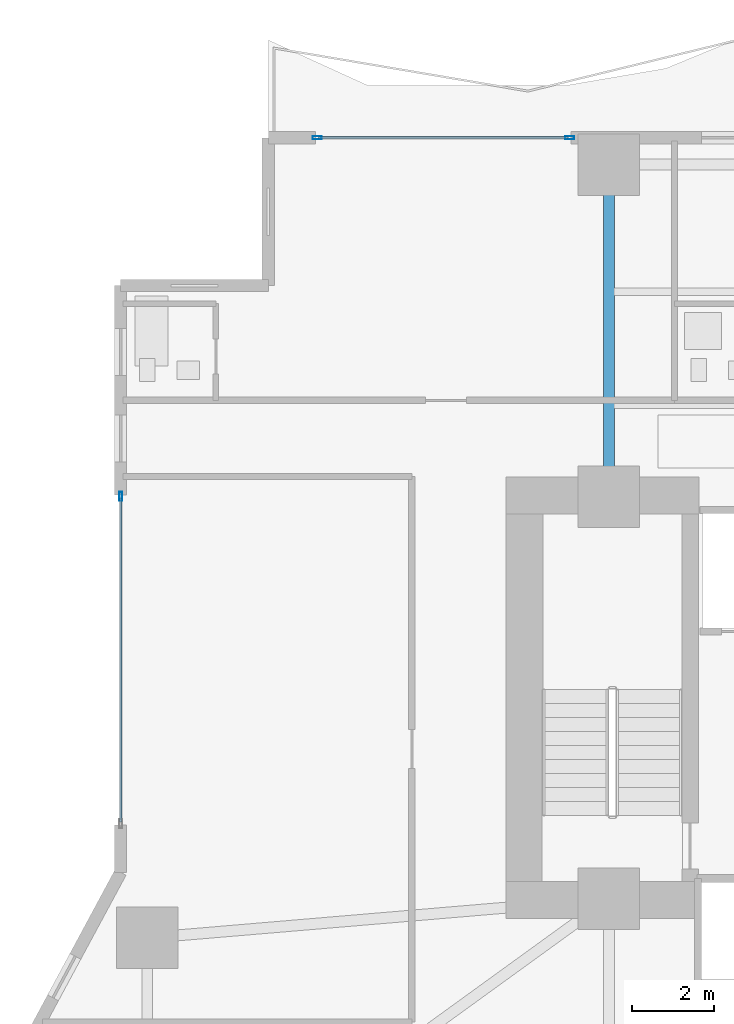
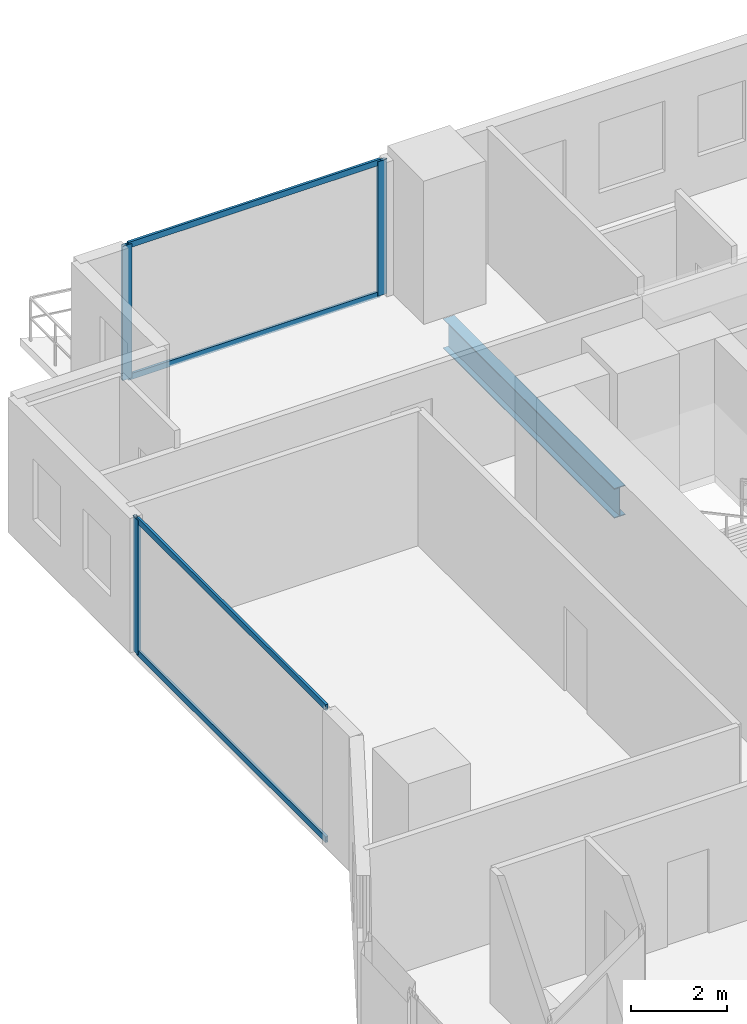
# One storey, part 13 of 28: 7 members, 1 beam, 2 elements without a shape of their own.
"""IFC4 building model written with IfcOpenShell, lengths in metres."""

from ifc_helpers import new_model, si_unit, direction, frame, origin, origin_2d, place, context, subcontext, project, spatial, hollow_rectangle, i_section, extrude, material, layer, layer_set, material_profile, profile_set, type_object, element, aggregate, save


model = new_model("IFC4")

# Units and contexts
model_context = context("Model", 3, precision=1e-05, world=origin(), true_north=direction((0.0, 1.0)))
body_context = subcontext(model_context, "Body", "Model", "MODEL_VIEW")
ifc_project = project(units=[si_unit("LENGTHUNIT", "METRE"), si_unit("AREAUNIT", "SQUARE_METRE"), si_unit("VOLUMEUNIT", "CUBIC_METRE"), si_unit("PLANEANGLEUNIT", "RADIAN"), si_unit("MASSUNIT", "GRAM", prefix="KILO")], contexts=[model_context])

# Site, building, storey
site_placement = place(None, origin())
site = spatial("IfcSite", under=ifc_project, at=site_placement, CompositionType="ELEMENT")
building_placement = place(site_placement, origin())
building = spatial("IfcBuilding", under=site, at=building_placement, Name="Zuhayl Quay Hotel", CompositionType="ELEMENT")
storey_placement = place(building_placement, frame((0.0, 0.0, 53.14990234375)))
storey = spatial("IfcBuildingStorey", under=building, at=storey_placement, Name="L12", CompositionType="ELEMENT", Elevation=53.14990234375)

# Beam
ifc_material_1 = material(Name="Steel ASTM A992 Grade 50", Category="steel")
ifc_material_profile_1 = material_profile(ifc_material_1, i_section(OverallWidth=0.26708984375, OverallDepth=0.761962890625, WebThickness=0.014404296875, FlangeThickness=0.021484375, at=origin_2d()), Name="W30X116")
ifc_profile_set_1 = profile_set([ifc_material_profile_1], Name="Steel ASTM A992 Grade 50")
beam_type = type_object("IfcBeamType", Name="BM_B1_W30X116", PredefinedType="BEAM", material=ifc_profile_set_1)
beam_placement = place(storey_placement, frame((-13.800048828125, 14.800048828125, -0.600830078125), z_axis=(0.0, 1.0, 0.0), x_axis=(-1.0, 0.0, 0.0)))
element("IfcBeam", 1, at=beam_placement, inside=storey, type_object=beam_type, Name="L12 Floor Beam FG_N_L12_1", PredefinedType="BEAM", context=body_context, shape_type="SweptSolid", body=[
    extrude(i_section(OverallWidth=0.26708984375, OverallDepth=0.761962890625, WebThickness=0.014404296875, FlangeThickness=0.021484375, at=origin_2d()), origin(), (0.0, 0.0, 1.0), 7.14990234375),
])

# Curtain wall, member
ifc_material_2 = material(Name="Anodised Aluminium 6063-T6", Category="aluminium")
ifc_layer = layer(ifc_material_2, 0.18994140625, Name="Anodised Aluminium 6063-T6", Category="aluminium")
ifc_layer_set = layer_set([ifc_layer], Name="Anodised Aluminium 6063-T6")
curtain_wall_type = type_object("IfcCurtainWallType", Name="CW_SYS_Z1", PredefinedType="USERDEFINED", material=ifc_layer_set)
curtain_wall_1_placement = place(storey_placement, origin())
curtain_wall_1 = element("IfcCurtainWall", 2, at=curtain_wall_1_placement, inside=storey, type_object=curtain_wall_type, Name="L12 Curtain Wall ENV_L12_E05_CW1", ObjectType="UNITISED CURTAIN WALL", PredefinedType="USERDEFINED")
ifc_material_3 = material(Name="Black-anodised aluminium 6063-T6", Category="aluminium")
ifc_material_profile_2 = material_profile(ifc_material_3, hollow_rectangle(XDim=0.074951171875, YDim=0.219970703125, WallThickness=0.00390625, at=origin_2d()), Name="ALU220X75")
ifc_profile_set_2 = profile_set([ifc_material_profile_2], Name="Black-anodised aluminium 6063-T6")
member_type_1 = type_object("IfcMemberType", Name="MB_CW_MUL_220", PredefinedType="MULLION", material=ifc_profile_set_2)
member_1_placement = place(storey_placement, frame((-25.699951171875, 14.362548828125, 0.0), z_axis=(0.0, 0.0, 1.0), x_axis=(-1.0, 0.0, 0.0)))
member_1 = element("IfcMember", 3, at=member_1_placement, type_object=member_type_1, Name="CW-Z1 mullion 2", PredefinedType="MULLION", context=body_context, shape_type="SweptSolid", body=[
    extrude(hollow_rectangle(XDim=0.074951171875, YDim=0.219970703125, WallThickness=0.00390625, at=origin_2d()), origin(), (0.0, 0.0, 1.0), 3.43017578125),
])

# Curtain wall, members
curtain_wall_2_placement = place(storey_placement, origin())
curtain_wall_2 = element("IfcCurtainWall", 4, at=curtain_wall_2_placement, inside=storey, type_object=curtain_wall_type, Name="L12 Curtain Wall ENV_L12_N_CW1", ObjectType="UNITISED CURTAIN WALL", PredefinedType="USERDEFINED")
member_2_placement = place(storey_placement, frame((-20.91259765625, 23.10009765625, 0.0), z_axis=(0.0, 0.0, 1.0), x_axis=(0.0, 1.0, 0.0)))
member_2 = element("IfcMember", 5, at=member_2_placement, type_object=member_type_1, Name="CW-Z1 mullion 1", PredefinedType="MULLION", context=body_context, shape_type="SweptSolid", body=[
    extrude(hollow_rectangle(XDim=0.074951171875, YDim=0.219970703125, WallThickness=0.00390625, at=origin_2d()), origin(), (0.0, 0.0, 1.0), 3.43017578125),
])
member_3_placement = place(storey_placement, frame((-14.757568359375, 23.10009765625, 0.0), z_axis=(0.0, 0.0, 1.0), x_axis=(0.0, 1.0, 0.0)))
member_3 = element("IfcMember", 6, at=member_3_placement, type_object=member_type_1, Name="CW-Z1 mullion 2", PredefinedType="MULLION", context=body_context, shape_type="SweptSolid", body=[
    extrude(hollow_rectangle(XDim=0.074951171875, YDim=0.219970703125, WallThickness=0.00390625, at=origin_2d()), origin(), (0.0, 0.0, 1.0), 3.43017578125),
])

# Member
ifc_material_profile_3 = material_profile(ifc_material_3, hollow_rectangle(XDim=0.06005859375, YDim=0.14990234375, WallThickness=0.00341796875, at=origin_2d()), Name="ALU150X60")
ifc_profile_set_3 = profile_set([ifc_material_profile_3], Name="Black-anodised aluminium 6063-T6")
member_type_2 = type_object("IfcMemberType", Name="MB_CW_TRN_150", PredefinedType="USERDEFINED", material=ifc_profile_set_3)
member_4_placement = place(storey_placement, frame((-25.699951171875, 6.425048828125, 0.030029296875), z_axis=(0.0, 1.0, 0.0), x_axis=(-1.0, 0.0, 0.0)))
member_4 = element("IfcMember", 7, at=member_4_placement, type_object=member_type_2, Name="CW-Z1 transom 1.1", ObjectType="TRANSOM", PredefinedType="USERDEFINED", context=body_context, shape_type="SweptSolid", body=[
    extrude(hollow_rectangle(XDim=0.06005859375, YDim=0.14990234375, WallThickness=0.00341796875, at=origin_2d()), origin(), (0.0, 0.0, 1.0), 7.89990234375),
])

member_5_placement = place(storey_placement, frame((-25.699951171875, 6.425048828125, 3.400146484375), z_axis=(0.0, 1.0, 0.0), x_axis=(-1.0, 0.0, 0.0)))
member_5 = element("IfcMember", 8, at=member_5_placement, type_object=member_type_2, Name="CW-Z1 transom 1.2", ObjectType="TRANSOM", PredefinedType="USERDEFINED", context=body_context, shape_type="SweptSolid", body=[
    extrude(hollow_rectangle(XDim=0.06005859375, YDim=0.14990234375, WallThickness=0.00341796875, at=origin_2d()), origin(), (0.0, 0.0, 1.0), 7.89990234375),
])

aggregate(curtain_wall_1, [member_1, member_4, member_5])

member_6_placement = place(storey_placement, frame((-20.875, 23.10009765625, 0.030029296875), z_axis=(1.0, 0.0, 0.0), x_axis=(0.0, 1.0, 0.0)))
member_6 = element("IfcMember", 9, at=member_6_placement, type_object=member_type_2, Name="CW-Z1 transom 1.1", ObjectType="TRANSOM", PredefinedType="USERDEFINED", context=body_context, shape_type="SweptSolid", body=[
    extrude(hollow_rectangle(XDim=0.06005859375, YDim=0.14990234375, WallThickness=0.00341796875, at=origin_2d()), origin(), (0.0, 0.0, 1.0), 6.080078125),
])

member_7_placement = place(storey_placement, frame((-20.875, 23.10009765625, 3.400146484375), z_axis=(1.0, 0.0, 0.0), x_axis=(0.0, 1.0, 0.0)))
member_7 = element("IfcMember", 10, at=member_7_placement, type_object=member_type_2, Name="CW-Z1 transom 1.2", ObjectType="TRANSOM", PredefinedType="USERDEFINED", context=body_context, shape_type="SweptSolid", body=[
    extrude(hollow_rectangle(XDim=0.06005859375, YDim=0.14990234375, WallThickness=0.00341796875, at=origin_2d()), origin(), (0.0, 0.0, 1.0), 6.080078125),
])

aggregate(curtain_wall_2, [member_2, member_3, member_6, member_7])

save(model, "model.ifc")
